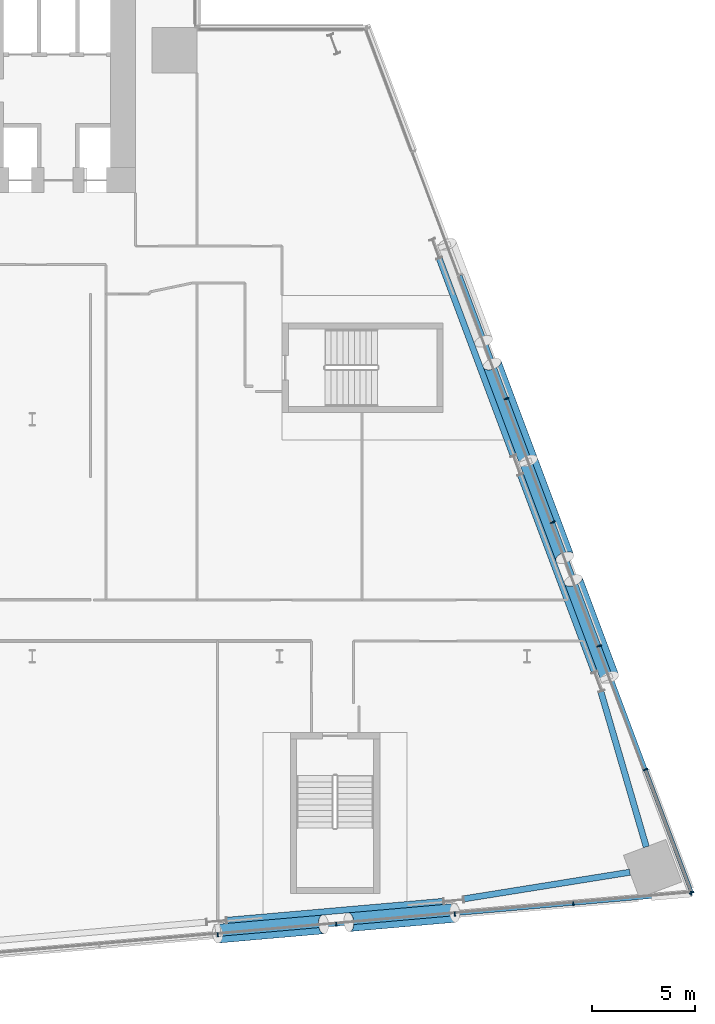
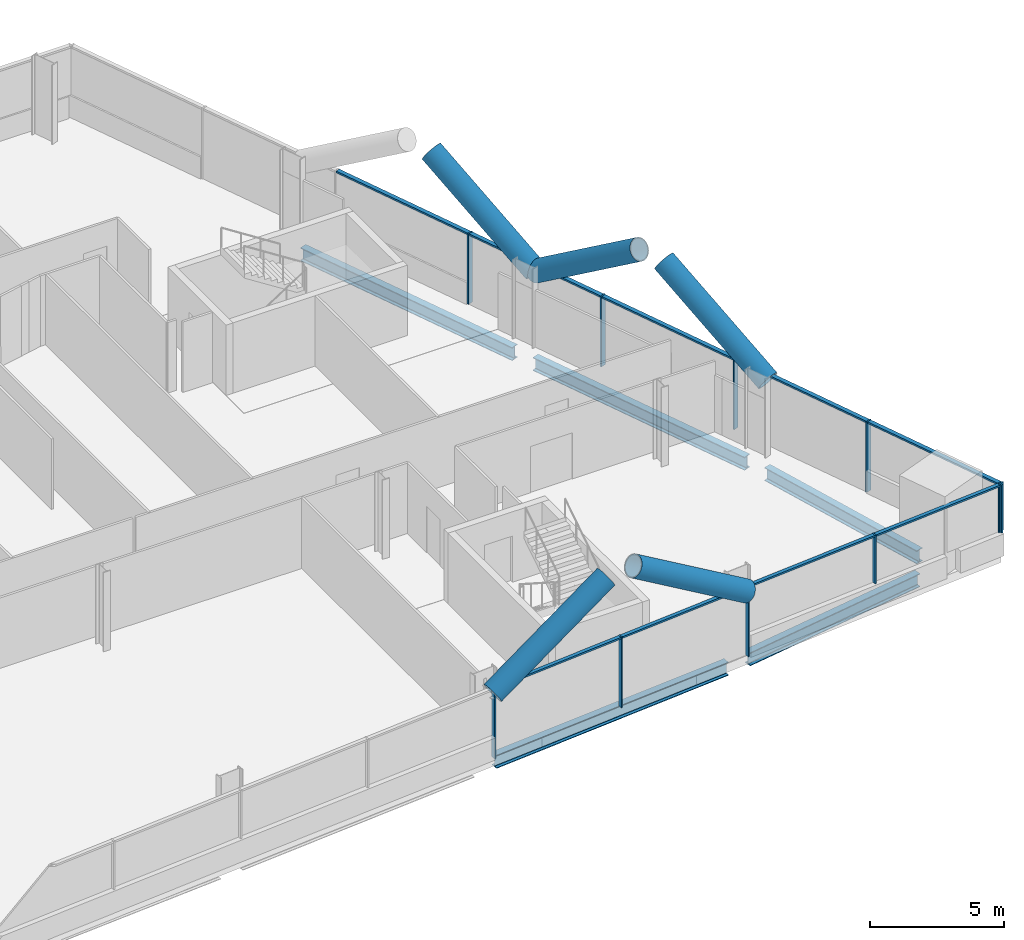
# One storey, part 9 of 27: 24 members, 5 beams, 2 elements without a shape of their own.
"""IFC4 building model written with IfcOpenShell, lengths in metres."""

from ifc_helpers import new_model, si_unit, direction, frame, origin, origin_2d, place, context, subcontext, project, spatial, rectangle, hollow_circle, i_section, extrude, material, material_profile, profile_set, type_object, element, aggregate, save


model = new_model("IFC4")

# Units and contexts
model_context = context("Model", 3, precision=1e-05, world=origin(), true_north=direction((0.0, 1.0)))
body_context = subcontext(model_context, "Body", "Model", "MODEL_VIEW")
ifc_project = project(units=[si_unit("LENGTHUNIT", "METRE"), si_unit("AREAUNIT", "SQUARE_METRE"), si_unit("VOLUMEUNIT", "CUBIC_METRE"), si_unit("PLANEANGLEUNIT", "RADIAN"), si_unit("MASSUNIT", "GRAM", prefix="KILO")], contexts=[model_context])

# Site, building, storey
site_placement = place(None, origin())
site = spatial("IfcSite", under=ifc_project, at=site_placement, CompositionType="ELEMENT")
building_placement = place(site_placement, origin())
building = spatial("IfcBuilding", under=site, at=building_placement, Name="Wharfspan Tower", CompositionType="ELEMENT")
storey_placement = place(building_placement, frame((0.0, 0.0, 45.100098)))
storey = spatial("IfcBuildingStorey", under=building, at=storey_placement, Name="L07", CompositionType="ELEMENT", Elevation=45.100098)

# Beams
ifc_material_1 = material(Name="Steel S355J2", Category="steel")
ifc_material_profile_1 = material_profile(ifc_material_1, i_section(OverallWidth=0.300049, OverallDepth=0.600098, WebThickness=0.015381, FlangeThickness=0.030029, FilletRadius=0.0271, at=origin_2d()))
ifc_profile_set_1 = profile_set([ifc_material_profile_1], Name="Steel S355J2")
beam_type = type_object("IfcBeamType", Name="Edge beam HEB 600", PredefinedType="SPANDREL", material=ifc_profile_set_1)
beam_1_placement = place(storey_placement, frame((69.440674, -1.311279, -0.700195), z_axis=(0.996193, 0.087178, 0.0), x_axis=(-0.087178, 0.996193, 0.0)))
element("IfcBeam", 1, at=beam_1_placement, inside=storey, type_object=beam_type, Name="Edge beam S2 L07 PS2.2 to PS2.3", PredefinedType="SPANDREL", context=body_context, shape_type="SweptSolid", body=[
    extrude(i_section(OverallWidth=0.300049, OverallDepth=0.600098, WebThickness=0.015381, FlangeThickness=0.030029, FilletRadius=0.0271, at=origin_2d()), origin(), (0.0, 0.0, 1.0), 10.543701),
])
beam_2_placement = place(storey_placement, frame((80.9375, -0.269287, -0.700195), z_axis=(0.987379, 0.158378, 0.0), x_axis=(-0.158378, 0.987379, 0.0)))
element("IfcBeam", 2, at=beam_2_placement, inside=storey, type_object=beam_type, Name="Edge beam S2 L07 PS2.3 to MC4", PredefinedType="SPANDREL", context=body_context, shape_type="SweptSolid", body=[
    extrude(i_section(OverallWidth=0.300049, OverallDepth=0.600098, WebThickness=0.015381, FlangeThickness=0.030029, FilletRadius=0.0271, at=origin_2d()), origin(), (0.0, 0.0, 1.0), 8.157715),
])
beam_3_placement = place(storey_placement, frame((89.788086, 2.254639, -0.700195), z_axis=(-0.280694, 0.959797, 0.0), x_axis=(-0.959797, -0.280694, 0.0)))
element("IfcBeam", 3, at=beam_3_placement, inside=storey, type_object=beam_type, Name="Edge beam E L07 MC4 to PE.1", PredefinedType="SPANDREL", context=body_context, shape_type="SweptSolid", body=[
    extrude(i_section(OverallWidth=0.300049, OverallDepth=0.600098, WebThickness=0.015381, FlangeThickness=0.030029, FilletRadius=0.0271, at=origin_2d()), origin(), (0.0, 0.0, 1.0), 7.8479),
])
for number, where, z_axis, x_axis, name in (
    (4, (87.269043, 10.736328, -0.700195), (-0.351126, 0.936328, 0.0), (-0.936328, -0.351126, 0.0), "Edge beam E L07 PE.1 to PE.2"),
    (5, (83.331543, 21.236328, -0.700195), (-0.351126, 0.936328, 0.0), (-0.936328, -0.351126, 0.0), "Edge beam E L07 PE.2 to PE.3"),
):
    element("IfcBeam", number, at=place(storey_placement, frame(where, z_axis=z_axis, x_axis=x_axis)), inside=storey, type_object=beam_type, Name=name, PredefinedType="SPANDREL", context=body_context, shape_type="SweptSolid", body=[
        extrude(i_section(OverallWidth=0.300049, OverallDepth=0.600098, WebThickness=0.015381, FlangeThickness=0.030029, FilletRadius=0.0271, at=origin_2d()), origin(), (0.0, 0.0, 1.0), 10.214111),
    ])

# Curtain wall, members
ifc_material_2 = material(Name="Aluminium 6063-T6", Category="aluminium")
curtain_wall_type_1 = type_object("IfcCurtainWallType", Name="CURTAIN WALL FACETED FRONT", PredefinedType="NOTDEFINED", material=ifc_material_2)
curtain_wall_1_placement = place(storey_placement, origin())
curtain_wall_1 = element("IfcCurtainWall", 6, at=curtain_wall_1_placement, inside=storey, type_object=curtain_wall_type_1, Name="Curtain wall S2", PredefinedType="NOTDEFINED")
ifc_material_profile_2 = material_profile(ifc_material_2, rectangle(XDim=0.199951, YDim=0.060059, at=origin_2d()))
ifc_profile_set_2 = profile_set([ifc_material_profile_2], Name="Aluminium 6063-T6")
member_type_1 = type_object("IfcMemberType", Name="MULLION FACETED FRONT 60x200", PredefinedType="MULLION", material=ifc_profile_set_2)
member_1_placement = place(storey_placement, frame((69.0, -2.012207, 0.0), z_axis=(0.0, 0.0, 1.0), x_axis=(-0.087156, 0.996197, 0.0)))
member_1 = element("IfcMember", 7, at=member_1_placement, type_object=member_type_1, Name="Curtain wall S2 mullion 5", PredefinedType="MULLION", context=body_context, shape_type="SweptSolid", body=[
    extrude(rectangle(XDim=0.199951, YDim=0.060059, at=origin_2d()), origin(), (0.0, 0.0, 1.0), 3.199951),
])
member_2_placement = place(storey_placement, frame((74.75, -1.509277, 0.0), z_axis=(0.0, 0.0, 1.0), x_axis=(-0.087156, 0.996197, 0.0)))
member_2 = element("IfcMember", 8, at=member_2_placement, type_object=member_type_1, Name="Curtain wall S2 mullion 6", PredefinedType="MULLION", context=body_context, shape_type="SweptSolid", body=[
    extrude(rectangle(XDim=0.199951, YDim=0.060059, at=origin_2d()), origin(), (0.0, 0.0, 1.0), 3.199951),
])
member_3_placement = place(storey_placement, frame((80.5, -1.006104, 0.0), z_axis=(0.0, 0.0, 1.0), x_axis=(-0.087156, 0.996197, 0.0)))
member_3 = element("IfcMember", 9, at=member_3_placement, type_object=member_type_1, Name="Curtain wall S2 mullion 7", PredefinedType="MULLION", context=body_context, shape_type="SweptSolid", body=[
    extrude(rectangle(XDim=0.199951, YDim=0.060059, at=origin_2d()), origin(), (0.0, 0.0, 1.0), 3.199951),
])
member_4_placement = place(storey_placement, frame((86.25, -0.503174, 1.0), z_axis=(0.0, 0.0, 1.0), x_axis=(-0.087156, 0.996197, 0.0)))
member_4 = element("IfcMember", 10, at=member_4_placement, type_object=member_type_1, Name="Curtain wall S2 mullion 8", PredefinedType="MULLION", context=body_context, shape_type="SweptSolid", body=[
    extrude(rectangle(XDim=0.199951, YDim=0.060059, at=origin_2d()), origin(), (0.0, 0.0, 1.0), 2.199951),
])
member_5_placement = place(storey_placement, frame((91.970215, -0.002686, 1.0), z_axis=(0.0, 0.0, 1.0), x_axis=(-0.087156, 0.996197, 0.0)))
member_5 = element("IfcMember", 11, at=member_5_placement, type_object=member_type_1, Name="Curtain wall S2 mullion 9", PredefinedType="MULLION", context=body_context, shape_type="SweptSolid", body=[
    extrude(rectangle(XDim=0.199951, YDim=0.060059, at=origin_2d()), origin(), (0.0, 0.0, 1.0), 2.199951),
])

curtain_wall_type_2 = type_object("IfcCurtainWallType", Name="CURTAIN WALL PROW AND END", PredefinedType="NOTDEFINED", material=ifc_material_2)
curtain_wall_2_placement = place(storey_placement, origin())
curtain_wall_2 = element("IfcCurtainWall", 12, at=curtain_wall_2_placement, inside=storey, type_object=curtain_wall_type_2, Name="Curtain wall E", PredefinedType="NOTDEFINED")
ifc_material_profile_3 = material_profile(ifc_material_2, rectangle(XDim=0.23999, YDim=0.060059, at=origin_2d()))
ifc_profile_set_3 = profile_set([ifc_material_profile_3], Name="Aluminium 6063-T6")
member_type_2 = type_object("IfcMemberType", Name="MULLION PROW AND END 60x240", PredefinedType="MULLION", material=ifc_profile_set_3)
member_6_placement = place(storey_placement, frame((91.989502, 0.028076, 1.0), z_axis=(0.0, 0.0, 1.0), x_axis=(-0.936328, -0.351123, 0.0)))
member_6 = element("IfcMember", 13, at=member_6_placement, type_object=member_type_2, Name="Curtain wall E mullion 1", PredefinedType="MULLION", context=body_context, shape_type="SweptSolid", body=[
    extrude(rectangle(XDim=0.23999, YDim=0.060059, at=origin_2d()), origin(), (0.0, 0.0, 1.0), 2.199951),
])
member_7_placement = place(storey_placement, frame((89.75, 6.0, 0.0), z_axis=(0.0, 0.0, 1.0), x_axis=(-0.936328, -0.351123, 0.0)))
member_7 = element("IfcMember", 14, at=member_7_placement, type_object=member_type_2, Name="Curtain wall E mullion 2", PredefinedType="MULLION", context=body_context, shape_type="SweptSolid", body=[
    extrude(rectangle(XDim=0.23999, YDim=0.060059, at=origin_2d()), origin(), (0.0, 0.0, 1.0), 3.199951),
])
member_8_placement = place(storey_placement, frame((87.5, 12.0, 0.0), z_axis=(0.0, 0.0, 1.0), x_axis=(-0.936328, -0.351123, 0.0)))
member_8 = element("IfcMember", 15, at=member_8_placement, type_object=member_type_2, Name="Curtain wall E mullion 3", PredefinedType="MULLION", context=body_context, shape_type="SweptSolid", body=[
    extrude(rectangle(XDim=0.23999, YDim=0.060059, at=origin_2d()), origin(), (0.0, 0.0, 1.0), 3.199951),
])
member_9_placement = place(storey_placement, frame((85.25, 18.0, 0.0), z_axis=(0.0, 0.0, 1.0), x_axis=(-0.936328, -0.351123, 0.0)))
member_9 = element("IfcMember", 16, at=member_9_placement, type_object=member_type_2, Name="Curtain wall E mullion 4", PredefinedType="MULLION", context=body_context, shape_type="SweptSolid", body=[
    extrude(rectangle(XDim=0.23999, YDim=0.060059, at=origin_2d()), origin(), (0.0, 0.0, 1.0), 3.199951),
])
member_10_placement = place(storey_placement, frame((83.0, 24.0, 0.0), z_axis=(0.0, 0.0, 1.0), x_axis=(-0.936328, -0.351123, 0.0)))
member_10 = element("IfcMember", 17, at=member_10_placement, type_object=member_type_2, Name="Curtain wall E mullion 5", PredefinedType="MULLION", context=body_context, shape_type="SweptSolid", body=[
    extrude(rectangle(XDim=0.23999, YDim=0.060059, at=origin_2d()), origin(), (0.0, 0.0, 1.0), 3.199951),
])

# Members
ifc_material_3 = material(Name="Steel S460NH", Category="steel")
ifc_material_profile_4 = material_profile(ifc_material_3, hollow_circle(Radius=0.457031, WallThickness=0.040039, at=origin_2d()))
ifc_profile_set_4 = profile_set([ifc_material_profile_4], Name="Steel S460NH")
member_type_3 = type_object("IfcMemberType", Name="Mega brace CHS 914x40", PredefinedType="BRACE", material=ifc_profile_set_4)
member_11_placement = place(storey_placement, frame((68.995117, -1.95752, 2.899902), z_axis=(0.845262, 0.073959, 0.529208), x_axis=(-0.087167, 0.996192, 3e-06)))
element("IfcMember", 18, at=member_11_placement, inside=storey, type_object=member_type_3, Name="Mega brace S2 L08 part 1", PredefinedType="BRACE", context=body_context, shape_type="SweptSolid", body=[
    extrude(hollow_circle(Radius=0.457031, WallThickness=0.040039, at=origin_2d()), origin(), (0.0, 0.0, 1.0), 6.073975),
])
member_12_placement = place(storey_placement, frame((80.495117, -0.951416, 2.899902), z_axis=(-0.845253, -0.073921, 0.529228), x_axis=(0.08712, -0.996199, -3e-06)))
element("IfcMember", 19, at=member_12_placement, inside=storey, type_object=member_type_3, Name="Mega brace S2 L08 part 3", PredefinedType="BRACE", context=body_context, shape_type="SweptSolid", body=[
    extrude(hollow_circle(Radius=0.457031, WallThickness=0.040039, at=origin_2d()), origin(), (0.0, 0.0, 1.0), 6.07373),
])
for number, where, z_axis, x_axis, name in (
    (20, (88.010986, 10.480713, 2.899902), (-0.295459, 0.787904, 0.540288), (-0.936328, -0.351115, -3e-06), "Mega brace E5 L08 part 1"),
    (21, (84.073486, 20.980713, 2.899902), (0.295459, -0.787904, 0.540288), (0.936328, 0.351115, -3e-06), "Mega brace E5 L08 part 3"),
    (22, (84.073486, 20.980713, 2.899902), (-0.295459, 0.787904, 0.540288), (-0.936328, -0.351115, -3e-06), "Mega brace E6 L08 part 1"),
):
    element("IfcMember", number, at=place(storey_placement, frame(where, z_axis=z_axis, x_axis=x_axis)), inside=storey, type_object=member_type_3, Name=name, PredefinedType="BRACE", context=body_context, shape_type="SweptSolid", body=[
        extrude(hollow_circle(Radius=0.457031, WallThickness=0.040039, at=origin_2d()), origin(), (0.0, 0.0, 1.0), 5.955322),
    ])

# Member
ifc_material_profile_5 = material_profile(ifc_material_2, rectangle(XDim=0.159912, YDim=0.080078, at=origin_2d()))
ifc_profile_set_5 = profile_set([ifc_material_profile_5], Name="Aluminium 6063-T6")
member_type_4 = type_object("IfcMemberType", Name="TRANSOM FACETED FRONT 80x160", PredefinedType="USERDEFINED", material=ifc_profile_set_5)
member_13_placement = place(storey_placement, frame((69.029785, -2.009521, 3.159912), z_axis=(0.996195, 0.087148, 0.0), x_axis=(-0.087148, 0.996195, 0.0)))
member_13 = element("IfcMember", 23, at=member_13_placement, type_object=member_type_4, Name="Curtain wall S2 transom 5", ObjectType="TRANSOM", PredefinedType="USERDEFINED", context=body_context, shape_type="SweptSolid", body=[
    extrude(rectangle(XDim=0.159912, YDim=0.080078, at=origin_2d()), origin(), (0.0, 0.0, 1.0), 5.712158),
])

member_14_placement = place(storey_placement, frame((74.779785, -1.506592, 3.159912), z_axis=(0.996195, 0.087148, 0.0), x_axis=(-0.087148, 0.996195, 0.0)))
member_14 = element("IfcMember", 24, at=member_14_placement, type_object=member_type_4, Name="Curtain wall S2 transom 6", ObjectType="TRANSOM", PredefinedType="USERDEFINED", context=body_context, shape_type="SweptSolid", body=[
    extrude(rectangle(XDim=0.159912, YDim=0.080078, at=origin_2d()), origin(), (0.0, 0.0, 1.0), 5.712158),
])

member_15_placement = place(storey_placement, frame((80.529785, -1.003418, 3.159912), z_axis=(0.996195, 0.087148, 0.0), x_axis=(-0.087148, 0.996195, 0.0)))
member_15 = element("IfcMember", 25, at=member_15_placement, type_object=member_type_4, Name="Curtain wall S2 transom 7", ObjectType="TRANSOM", PredefinedType="USERDEFINED", context=body_context, shape_type="SweptSolid", body=[
    extrude(rectangle(XDim=0.159912, YDim=0.080078, at=origin_2d()), origin(), (0.0, 0.0, 1.0), 5.712158),
])

member_16_placement = place(storey_placement, frame((86.279785, -0.500488, 3.159912), z_axis=(0.996193, 0.08718, 0.0), x_axis=(-0.08718, 0.996193, 0.0)))
member_16 = element("IfcMember", 26, at=member_16_placement, type_object=member_type_4, Name="Curtain wall S2 transom 8", ObjectType="TRANSOM", PredefinedType="USERDEFINED", context=body_context, shape_type="SweptSolid", body=[
    extrude(rectangle(XDim=0.159912, YDim=0.080078, at=origin_2d()), origin(), (0.0, 0.0, 1.0), 5.682129),
])

aggregate(curtain_wall_1, [member_1, member_2, member_3, member_4, member_5, member_13, member_14, member_15, member_16])

ifc_material_profile_6 = material_profile(ifc_material_2, rectangle(XDim=0.179932, YDim=0.080078, at=origin_2d()))
ifc_profile_set_6 = profile_set([ifc_material_profile_6], Name="Aluminium 6063-T6")
member_type_5 = type_object("IfcMemberType", Name="TRANSOM PROW AND END 80x180", PredefinedType="USERDEFINED", material=ifc_profile_set_6)
member_17_placement = place(storey_placement, frame((91.979004, 0.056152, 3.159912), z_axis=(-0.351136, 0.936324, 0.0), x_axis=(-0.936324, -0.351136, 0.0)))
member_17 = element("IfcMember", 27, at=member_17_placement, type_object=member_type_5, Name="Curtain wall E transom 1", ObjectType="TRANSOM", PredefinedType="USERDEFINED", context=body_context, shape_type="SweptSolid", body=[
    extrude(rectangle(XDim=0.179932, YDim=0.080078, at=origin_2d()), origin(), (0.0, 0.0, 1.0), 6.318115),
])

member_18_placement = place(storey_placement, frame((89.739502, 6.028076, 3.159912), z_axis=(-0.351132, 0.936326, 0.0), x_axis=(-0.936326, -0.351132, 0.0)))
member_18 = element("IfcMember", 28, at=member_18_placement, type_object=member_type_5, Name="Curtain wall E transom 2", ObjectType="TRANSOM", PredefinedType="USERDEFINED", context=body_context, shape_type="SweptSolid", body=[
    extrude(rectangle(XDim=0.179932, YDim=0.080078, at=origin_2d()), origin(), (0.0, 0.0, 1.0), 6.348145),
])

member_19_placement = place(storey_placement, frame((87.489502, 12.028076, 3.159912), z_axis=(-0.351132, 0.936326, 0.0), x_axis=(-0.936326, -0.351132, 0.0)))
member_19 = element("IfcMember", 29, at=member_19_placement, type_object=member_type_5, Name="Curtain wall E transom 3", ObjectType="TRANSOM", PredefinedType="USERDEFINED", context=body_context, shape_type="SweptSolid", body=[
    extrude(rectangle(XDim=0.179932, YDim=0.080078, at=origin_2d()), origin(), (0.0, 0.0, 1.0), 6.348145),
])

member_20_placement = place(storey_placement, frame((85.239502, 18.028076, 3.159912), z_axis=(-0.351132, 0.936326, 0.0), x_axis=(-0.936326, -0.351132, 0.0)))
member_20 = element("IfcMember", 30, at=member_20_placement, type_object=member_type_5, Name="Curtain wall E transom 4", ObjectType="TRANSOM", PredefinedType="USERDEFINED", context=body_context, shape_type="SweptSolid", body=[
    extrude(rectangle(XDim=0.179932, YDim=0.080078, at=origin_2d()), origin(), (0.0, 0.0, 1.0), 6.348145),
])

member_21_placement = place(storey_placement, frame((82.989502, 24.028076, 3.159912), z_axis=(-0.351132, 0.936326, 0.0), x_axis=(-0.936326, -0.351132, 0.0)))
member_21 = element("IfcMember", 31, at=member_21_placement, type_object=member_type_5, Name="Curtain wall E transom 5", ObjectType="TRANSOM", PredefinedType="USERDEFINED", context=body_context, shape_type="SweptSolid", body=[
    extrude(rectangle(XDim=0.179932, YDim=0.080078, at=origin_2d()), origin(), (0.0, 0.0, 1.0), 6.348145),
])

aggregate(curtain_wall_2, [member_6, member_7, member_8, member_9, member_10, member_17, member_18, member_19, member_20, member_21])

save(model, "model.ifc")
